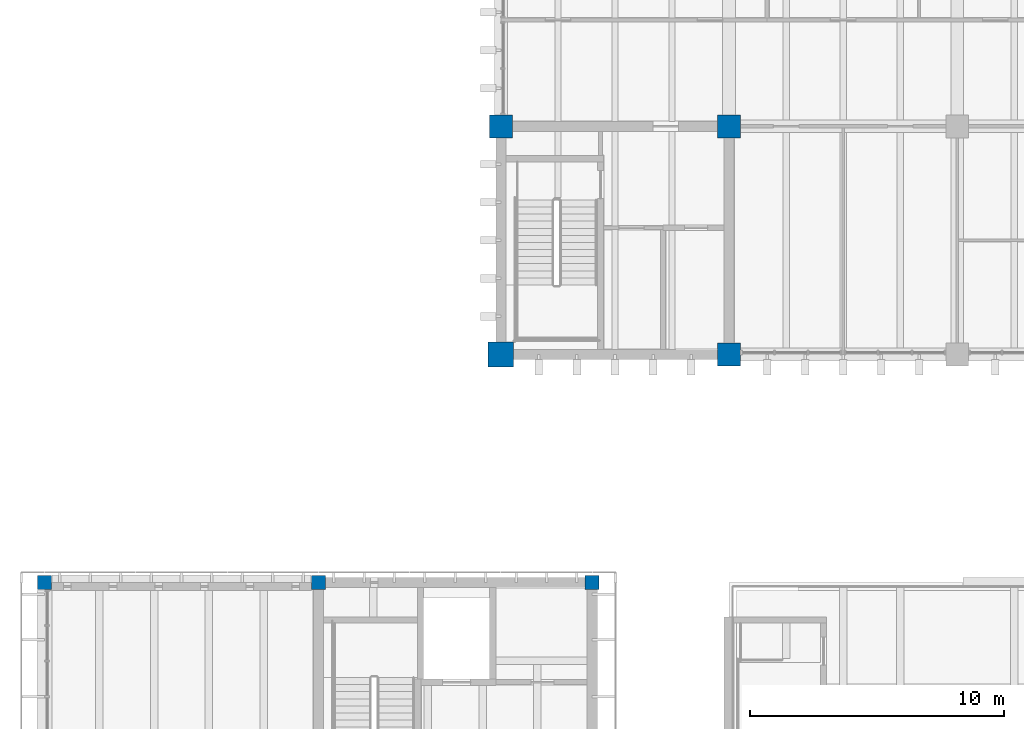
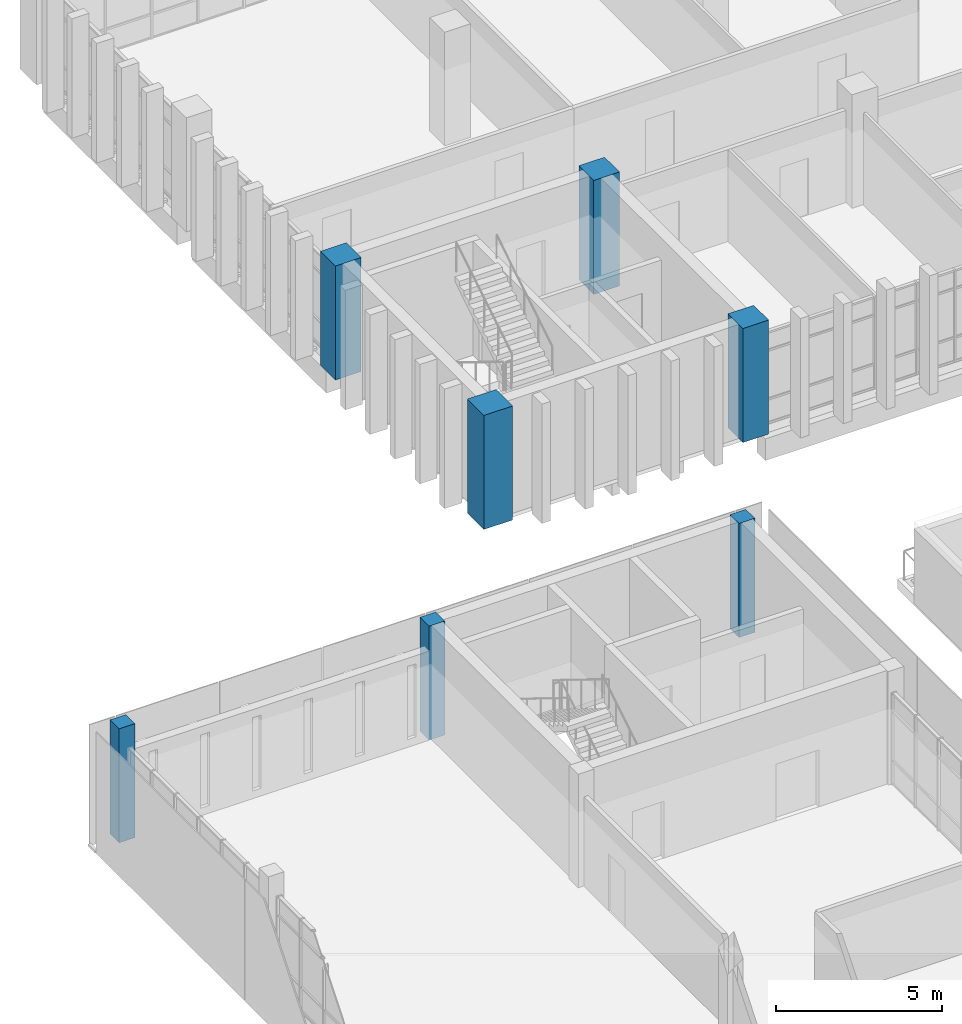
# One storey, part 3 of 74: 7 columns.
"""IFC4 building model written with IfcOpenShell, lengths in metres."""

from ifc_helpers import new_model, si_unit, direction, frame, origin, origin_2d, place, context, subcontext, project, spatial, rectangle, extrude, material, material_profile, profile_set, type_object, element, save


model = new_model("IFC4")

# Units and contexts
model_context = context("Model", 3, precision=1e-05, world=origin(), true_north=direction((0.0, 1.0)))
body_context = subcontext(model_context, "Body", "Model", "MODEL_VIEW")
ifc_project = project(units=[si_unit("LENGTHUNIT", "METRE"), si_unit("AREAUNIT", "SQUARE_METRE"), si_unit("VOLUMEUNIT", "CUBIC_METRE"), si_unit("PLANEANGLEUNIT", "RADIAN"), si_unit("MASSUNIT", "GRAM", prefix="KILO")], contexts=[model_context])

# Site, building, storey
site_placement = place(None, origin())
site = spatial("IfcSite", under=ifc_project, at=site_placement, CompositionType="ELEMENT")
building_placement = place(site_placement, origin())
building = spatial("IfcBuilding", under=site, at=building_placement, Name="Merrow Basin Faculty of Sciences", CompositionType="ELEMENT")
storey_placement = place(building_placement, frame((0.0, 0.0, 13.5)))
storey = spatial("IfcBuildingStorey", under=building, at=storey_placement, Name="L03", CompositionType="ELEMENT", Elevation=13.5)

# Columns
ifc_material_1 = material(Name="Concrete C50/60", Category="concrete")
ifc_material_profile_1 = material_profile(ifc_material_1, rectangle(XDim=1.0, YDim=1.0, at=origin_2d()))
ifc_profile_set_1 = profile_set([ifc_material_profile_1], Name="Concrete C50/60")
column_type_1 = type_object("IfcColumnType", Name="Column RC1000x1000 C50/60", PredefinedType="COLUMN", material=ifc_profile_set_1)
column_placement = place(storey_placement, frame((18.0, 142.0, 0.0), z_axis=(0.0, 0.0, 1.0), x_axis=(1.0, 0.0, 0.0)))
element("IfcColumn", 1, at=column_placement, inside=storey, type_object=column_type_1, Name="Column S13 L03", PredefinedType="COLUMN", context=body_context, shape_type="SweptSolid", body=[
    extrude(rectangle(XDim=1.0, YDim=1.0, at=origin_2d()), origin(), (0.0, 0.0, 1.0), 4.199951171875),
])
ifc_material_2 = material(Name="Concrete C40/50", Category="concrete")
ifc_material_profile_2 = material_profile(ifc_material_2, rectangle(XDim=0.550048828125, YDim=0.550048828125, at=origin_2d()))
ifc_profile_set_2 = profile_set([ifc_material_profile_2], Name="Concrete C40/50")
column_type_2 = type_object("IfcColumnType", Name="Column RC550x550 C40/50", PredefinedType="COLUMN", material=ifc_profile_set_2)
for number, where, z_axis, x_axis, name in (
    (2, (0.0, 133.0, 0.0), (0.0, 0.0, 1.0), (1.0, 0.0, 0.0), "Column A9 L03"),
    (3, (10.800048828125, 133.0, 0.0), (0.0, 0.0, 1.0), (1.0, 0.0, 0.0), "Column B9 L03"),
    (4, (21.60009765625, 133.0, 0.0), (0.0, 0.0, 1.0), (1.0, 0.0, 0.0), "Column C9 L03"),
):
    element("IfcColumn", number, at=place(storey_placement, frame(where, z_axis=z_axis, x_axis=x_axis)), inside=storey, type_object=column_type_2, Name=name, PredefinedType="COLUMN", context=body_context, shape_type="SweptSolid", body=[
        extrude(rectangle(XDim=0.550048828125, YDim=0.550048828125, at=origin_2d()), origin(), (0.0, 0.0, 1.0), 4.199951171875),
    ])
ifc_material_3 = material(Name="Concrete C50/60", Category="concrete")
ifc_material_profile_3 = material_profile(ifc_material_3, rectangle(XDim=0.89990234375, YDim=0.89990234375, at=origin_2d()))
ifc_profile_set_3 = profile_set([ifc_material_profile_3], Name="Concrete C50/60")
column_type_3 = type_object("IfcColumnType", Name="Column RC900x900 C50/60", PredefinedType="COLUMN", material=ifc_profile_set_3)
for number, where, z_axis, x_axis, name in (
    (5, (18.0, 151.0, 0.0), (0.0, 0.0, 1.0), (1.0, 0.0, 0.0), "Column S14 L03"),
    (6, (27.0, 142.0, 0.0), (0.0, 0.0, 1.0), (1.0, 0.0, 0.0), "Column D13 L03"),
    (7, (27.0, 151.0, 0.0), (0.0, 0.0, 1.0), (1.0, 0.0, 0.0), "Column D14 L03"),
):
    element("IfcColumn", number, at=place(storey_placement, frame(where, z_axis=z_axis, x_axis=x_axis)), inside=storey, type_object=column_type_3, Name=name, PredefinedType="COLUMN", context=body_context, shape_type="SweptSolid", body=[
        extrude(rectangle(XDim=0.89990234375, YDim=0.89990234375, at=origin_2d()), origin(), (0.0, 0.0, 1.0), 4.199951171875),
    ])

save(model, "model.ifc")
